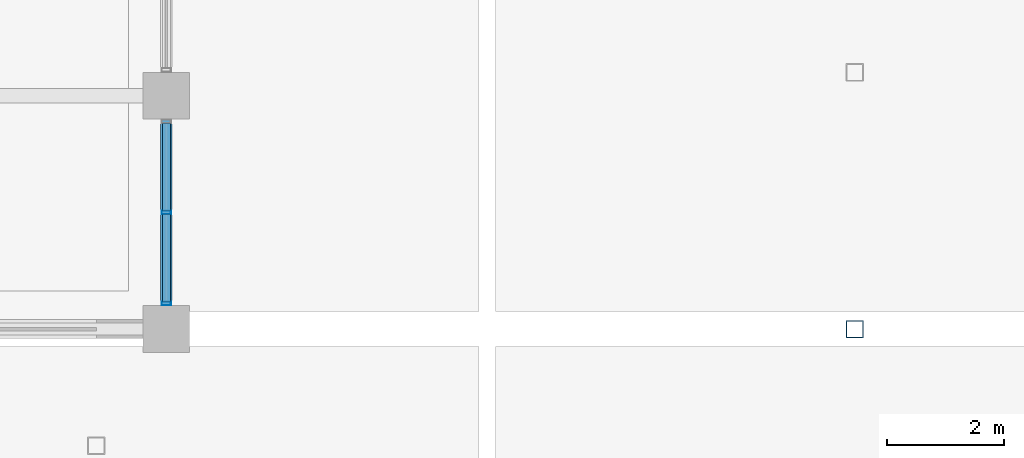
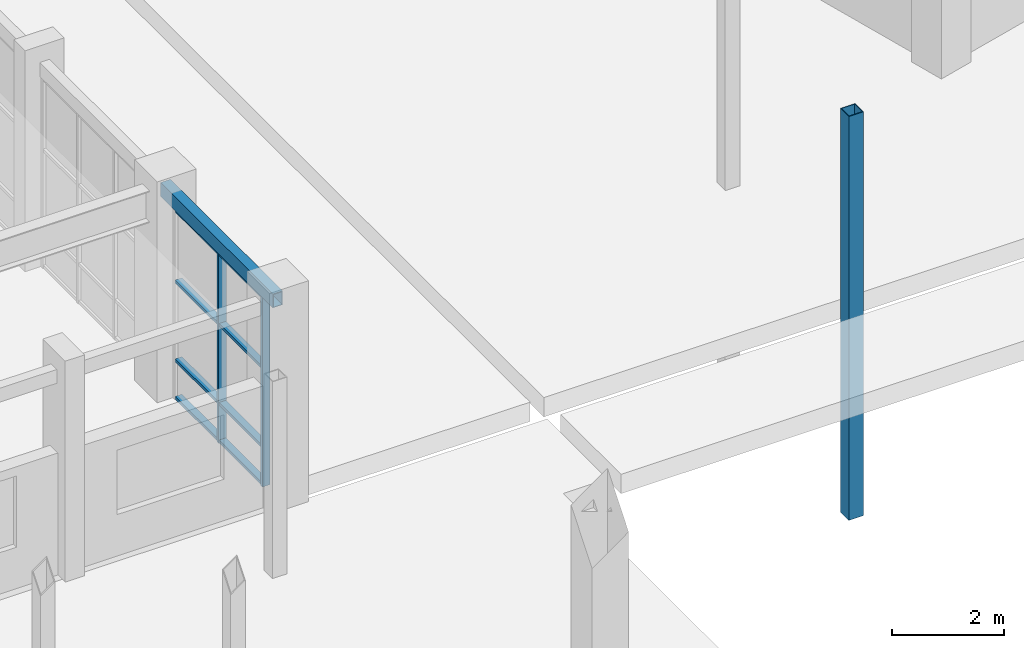
# One storey, part 12 of 47: 11 members, 1 beam, 1 element without a shape of its own.
"""IFC4 building model written with IfcOpenShell, lengths in metres."""

from ifc_helpers import new_model, si_unit, direction, frame, origin, origin_2d, place, context, subcontext, project, spatial, hollow_rectangle, extrude, material, layer, layer_set, material_profile, profile_set, type_object, element, aggregate, save


model = new_model("IFC4")

# Units and contexts
model_context = context("Model", 3, precision=1e-05, world=origin(), true_north=direction((0.0, 1.0)))
body_context = subcontext(model_context, "Body", "Model", "MODEL_VIEW")
ifc_project = project(units=[si_unit("LENGTHUNIT", "METRE"), si_unit("AREAUNIT", "SQUARE_METRE"), si_unit("VOLUMEUNIT", "CUBIC_METRE"), si_unit("PLANEANGLEUNIT", "RADIAN"), si_unit("MASSUNIT", "GRAM", prefix="KILO")], contexts=[model_context])

# Site, building, storey
site_placement = place(None, origin())
site = spatial("IfcSite", under=ifc_project, at=site_placement, CompositionType="ELEMENT")
building_placement = place(site_placement, origin())
building = spatial("IfcBuilding", under=site, at=building_placement, Name="Ventoquebrada Cableway Terminal", CompositionType="ELEMENT")
storey_placement = place(building_placement, origin())
storey = spatial("IfcBuildingStorey", under=building, at=storey_placement, Name="L00", CompositionType="ELEMENT", Elevation=0.0)

# Curtain wall, members
ifc_material_1 = material(Name="Anodized thermally-broken aluminium", Category="aluminium")
ifc_layer = layer(ifc_material_1, 0.159912109375)
ifc_layer_set = layer_set([ifc_layer], Name="Anodized thermally-broken aluminium")
curtain_wall_type = type_object("IfcCurtainWallType", Name="CW-T12", PredefinedType="USERDEFINED", material=ifc_layer_set)
curtain_wall_placement = place(storey_placement, origin())
curtain_wall = element("IfcCurtainWall", 1, at=curtain_wall_placement, inside=storey, type_object=curtain_wall_type, Name="Unitised glazed curtain wall CW-023", ObjectType="UNITISED CURTAIN WALL", PredefinedType="USERDEFINED")
ifc_material_profile_1 = material_profile(ifc_material_1, hollow_rectangle(XDim=0.06494140625, YDim=0.159912109375, WallThickness=0.00390625, at=origin_2d()), Name="CW-MUL-65X160")
ifc_profile_set_1 = profile_set([ifc_material_profile_1], Name="Anodized thermally-broken aluminium")
member_type_1 = type_object("IfcMemberType", Name="CWM-01", PredefinedType="MULLION", material=ifc_profile_set_1)
member_1_placement = place(storey_placement, frame((35.0, 64.43994140625, -0.008056640625), z_axis=(0.0, 0.0, 1.0), x_axis=(0.0, 1.0, 0.0)))
member_1 = element("IfcMember", 2, at=member_1_placement, type_object=member_type_1, Name="Curtain wall mullion FML-0106", PredefinedType="MULLION", context=body_context, shape_type="SweptSolid", body=[
    extrude(hollow_rectangle(XDim=0.06494140625, YDim=0.159912109375, WallThickness=0.00390625, at=origin_2d()), origin(), (0.0, 0.0, 1.0), 4.14794921875),
])
member_2_placement = place(storey_placement, frame((35.0, 66.0, -0.008056640625), z_axis=(0.0, 0.0, 1.0), x_axis=(0.0, 1.0, 0.0)))
member_2 = element("IfcMember", 3, at=member_2_placement, type_object=member_type_1, Name="Curtain wall mullion FML-0107", PredefinedType="MULLION", context=body_context, shape_type="SweptSolid", body=[
    extrude(hollow_rectangle(XDim=0.06494140625, YDim=0.159912109375, WallThickness=0.00390625, at=origin_2d()), origin(), (0.0, 0.0, 1.0), 4.14794921875),
])
ifc_material_profile_2 = material_profile(ifc_material_1, hollow_rectangle(XDim=0.06494140625, YDim=0.139892578125, WallThickness=0.00390625, at=origin_2d()), Name="CW-TRN-65X140")
ifc_profile_set_2 = profile_set([ifc_material_profile_2], Name="Anodized thermally-broken aluminium")
member_type_2 = type_object("IfcMemberType", Name="CWT-01", PredefinedType="USERDEFINED", material=ifc_profile_set_2)
member_3_placement = place(storey_placement, frame((35.0, 64.468017578125, 0.034912109375), z_axis=(0.0, 1.0, 0.0), x_axis=(0.0, 0.0, 1.0)))
member_3 = element("IfcMember", 4, at=member_3_placement, type_object=member_type_2, Name="Curtain wall transom FTR-0311", ObjectType="TRANSOM", PredefinedType="USERDEFINED", context=body_context, shape_type="SweptSolid", body=[
    extrude(hollow_rectangle(XDim=0.06494140625, YDim=0.139892578125, WallThickness=0.00390625, at=origin_2d()), origin(), (0.0, 0.0, 1.0), 1.50390625),
])
member_4_placement = place(storey_placement, frame((35.0, 64.468017578125, 0.85009765625), z_axis=(0.0, 1.0, 0.0), x_axis=(0.0, 0.0, 1.0)))
member_4 = element("IfcMember", 5, at=member_4_placement, type_object=member_type_2, Name="Curtain wall transom FTR-0312", ObjectType="TRANSOM", PredefinedType="USERDEFINED", context=body_context, shape_type="SweptSolid", body=[
    extrude(hollow_rectangle(XDim=0.06494140625, YDim=0.139892578125, WallThickness=0.00390625, at=origin_2d()), origin(), (0.0, 0.0, 1.0), 1.50390625),
])
member_5_placement = place(storey_placement, frame((35.0, 64.468017578125, 2.56396484375), z_axis=(0.0, 1.0, 0.0), x_axis=(0.0, 0.0, 1.0)))
member_5 = element("IfcMember", 6, at=member_5_placement, type_object=member_type_2, Name="Curtain wall transom FTR-0313", ObjectType="TRANSOM", PredefinedType="USERDEFINED", context=body_context, shape_type="SweptSolid", body=[
    extrude(hollow_rectangle(XDim=0.06494140625, YDim=0.139892578125, WallThickness=0.00390625, at=origin_2d()), origin(), (0.0, 0.0, 1.0), 1.50390625),
])
member_6_placement = place(storey_placement, frame((35.0, 64.468017578125, 4.10009765625), z_axis=(0.0, 1.0, 0.0), x_axis=(0.0, 0.0, 1.0)))
member_6 = element("IfcMember", 7, at=member_6_placement, type_object=member_type_2, Name="Curtain wall transom FTR-0314", ObjectType="TRANSOM", PredefinedType="USERDEFINED", context=body_context, shape_type="SweptSolid", body=[
    extrude(hollow_rectangle(XDim=0.06494140625, YDim=0.139892578125, WallThickness=0.00390625, at=origin_2d()), origin(), (0.0, 0.0, 1.0), 1.50390625),
])
member_7_placement = place(storey_placement, frame((35.0, 66.028076171875, 0.034912109375), z_axis=(0.0, 1.0, 0.0), x_axis=(0.0, 0.0, 1.0)))
member_7 = element("IfcMember", 8, at=member_7_placement, type_object=member_type_2, Name="Curtain wall transom FTR-0315", ObjectType="TRANSOM", PredefinedType="USERDEFINED", context=body_context, shape_type="SweptSolid", body=[
    extrude(hollow_rectangle(XDim=0.06494140625, YDim=0.139892578125, WallThickness=0.00390625, at=origin_2d()), origin(), (0.0, 0.0, 1.0), 1.50390625),
])
member_8_placement = place(storey_placement, frame((35.0, 66.028076171875, 0.85009765625), z_axis=(0.0, 1.0, 0.0), x_axis=(0.0, 0.0, 1.0)))
member_8 = element("IfcMember", 9, at=member_8_placement, type_object=member_type_2, Name="Curtain wall transom FTR-0316", ObjectType="TRANSOM", PredefinedType="USERDEFINED", context=body_context, shape_type="SweptSolid", body=[
    extrude(hollow_rectangle(XDim=0.06494140625, YDim=0.139892578125, WallThickness=0.00390625, at=origin_2d()), origin(), (0.0, 0.0, 1.0), 1.50390625),
])
member_9_placement = place(storey_placement, frame((35.0, 66.028076171875, 2.56396484375), z_axis=(0.0, 1.0, 0.0), x_axis=(0.0, 0.0, 1.0)))
member_9 = element("IfcMember", 10, at=member_9_placement, type_object=member_type_2, Name="Curtain wall transom FTR-0317", ObjectType="TRANSOM", PredefinedType="USERDEFINED", context=body_context, shape_type="SweptSolid", body=[
    extrude(hollow_rectangle(XDim=0.06494140625, YDim=0.139892578125, WallThickness=0.00390625, at=origin_2d()), origin(), (0.0, 0.0, 1.0), 1.50390625),
])
member_10_placement = place(storey_placement, frame((35.0, 66.028076171875, 4.10009765625), z_axis=(0.0, 1.0, 0.0), x_axis=(0.0, 0.0, 1.0)))
member_10 = element("IfcMember", 11, at=member_10_placement, type_object=member_type_2, Name="Curtain wall transom FTR-0318", ObjectType="TRANSOM", PredefinedType="USERDEFINED", context=body_context, shape_type="SweptSolid", body=[
    extrude(hollow_rectangle(XDim=0.06494140625, YDim=0.139892578125, WallThickness=0.00390625, at=origin_2d()), origin(), (0.0, 0.0, 1.0), 1.50390625),
])
aggregate(curtain_wall, [member_1, member_2, member_3, member_4, member_5, member_6, member_7, member_8, member_9, member_10])

# Member
ifc_material_2 = material(Name="Steel ASTM A500 Grade C", Category="steel")
ifc_material_profile_3 = material_profile(ifc_material_2, hollow_rectangle(XDim=0.300048828125, YDim=0.300048828125, WallThickness=0.01611328125, at=origin_2d()), Name="HSS300X300X16")
ifc_profile_set_3 = profile_set([ifc_material_profile_3], Name="Steel ASTM A500 Grade C")
member_type_3 = type_object("IfcMemberType", Name="PST-GS01", PredefinedType="STRUT", material=ifc_profile_set_3)
member_11_placement = place(storey_placement, frame((46.800048828125, 64.0, -4.5), z_axis=(0.0, 0.0, 1.0), x_axis=(1.0, 0.0, 0.0)))
element("IfcMember", 12, at=member_11_placement, inside=storey, type_object=member_type_3, Name="Plaza canopy support post CN-PS-0553", PredefinedType="STRUT", context=body_context, shape_type="SweptSolid", body=[
    extrude(hollow_rectangle(XDim=0.300048828125, YDim=0.300048828125, WallThickness=0.01611328125, at=origin_2d()), origin(), (0.0, 0.0, 1.0), 8.77490234375),
])

# Beam
ifc_material_profile_4 = material_profile(ifc_material_2, hollow_rectangle(XDim=0.199951171875, YDim=0.300048828125, WallThickness=0.012451171875, at=origin_2d()), Name="RHS300X200X12.5")
ifc_profile_set_4 = profile_set([ifc_material_profile_4], Name="Steel ASTM A500 Grade C")
beam_type = type_object("IfcBeamType", Name="SP-ST02", PredefinedType="SPANDREL", material=ifc_profile_set_4)
beam_placement = place(storey_placement, frame((35.0, 64.0, 4.2900390625), z_axis=(0.0, 1.0, 0.0), x_axis=(-1.0, 0.0, 0.0)))
element("IfcBeam", 13, at=beam_placement, inside=storey, type_object=beam_type, Name="Perimeter spandrel beam FBM-0366", PredefinedType="SPANDREL", context=body_context, shape_type="SweptSolid", body=[
    extrude(hollow_rectangle(XDim=0.199951171875, YDim=0.300048828125, WallThickness=0.012451171875, at=origin_2d()), origin(), (0.0, 0.0, 1.0), 4.0),
])

save(model, "model.ifc")
